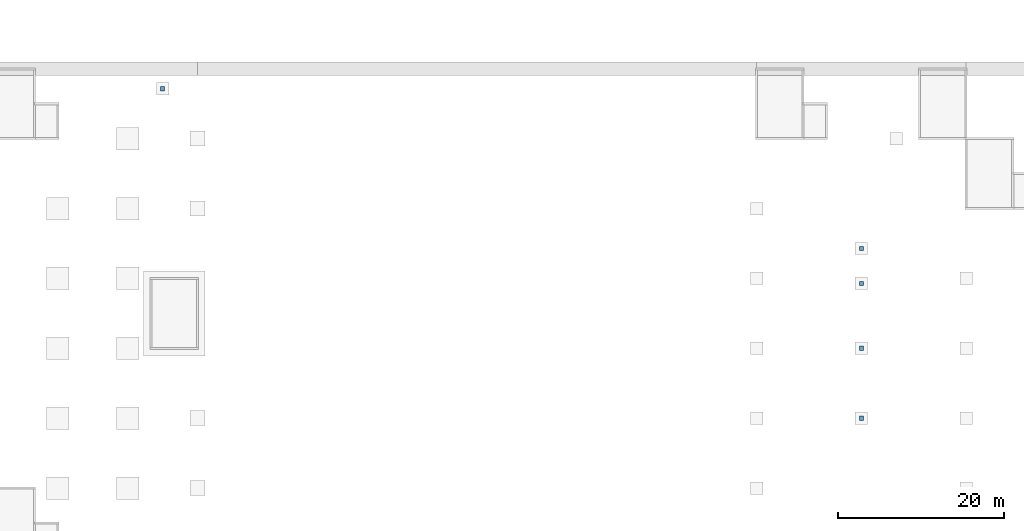
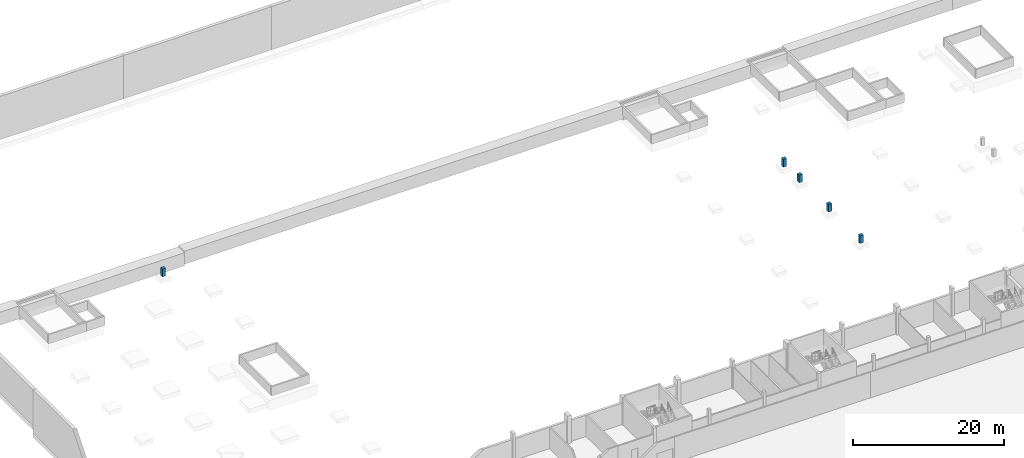
# One storey, part 5 of 36: 5 columns.
"""IFC4 building model written with IfcOpenShell, lengths in metres."""

from ifc_helpers import new_model, si_unit, direction, frame, origin, origin_2d, place, context, subcontext, project, spatial, rectangle, extrude, material, material_profile, profile_set, type_object, element, save


model = new_model("IFC4")

# Units and contexts
model_context = context("Model", 3, precision=1e-05, world=origin(), true_north=direction((0.0, 1.0)))
body_context = subcontext(model_context, "Body", "Model", "MODEL_VIEW")
ifc_project = project(units=[si_unit("LENGTHUNIT", "METRE"), si_unit("AREAUNIT", "SQUARE_METRE"), si_unit("VOLUMEUNIT", "CUBIC_METRE"), si_unit("PLANEANGLEUNIT", "RADIAN"), si_unit("MASSUNIT", "GRAM", prefix="KILO")], contexts=[model_context])

# Site, building, storey
site_placement = place(None, origin())
site = spatial("IfcSite", under=ifc_project, at=site_placement, CompositionType="ELEMENT")
building_placement = place(site_placement, origin())
building = spatial("IfcBuilding", under=site, at=building_placement, Name="Fescue Hill Polytechnic", CompositionType="ELEMENT")
storey_placement = place(building_placement, origin())
storey = spatial("IfcBuildingStorey", under=building, at=storey_placement, Name="L00", CompositionType="ELEMENT", Elevation=0.0)

# Columns
ifc_material = material(Name="Concrete 40 MPa", Category="concrete")
ifc_material_profile = material_profile(ifc_material, rectangle(XDim=0.5, YDim=0.5, at=origin_2d()), Name="RC 500x500")
ifc_profile_set = profile_set([ifc_material_profile], Name="Concrete 40 MPa")
column_type = type_object("IfcColumnType", Name="Pier RC 500x500", PredefinedType="COLUMN", material=ifc_profile_set)
for number, where, z_axis, x_axis, name in (
    (1, (21.0, 106.800048828125, 3.0), (0.0, 0.0, 1.0), (1.0, 0.0, 0.0), "COL-L00-V4-001"),
    (2, (105.0, 83.39990234375, 3.0), (0.0, 0.0, 1.0), (1.0, 0.0, 0.0), "COL-L00-V6-001"),
    (3, (105.0, 67.199951171875, 3.0), (0.0, 0.0, 1.0), (1.0, 0.0, 0.0), "COL-L00-V6-002"),
    (4, (105.0, 87.60009765625, 3.0), (0.0, 0.0, 1.0), (1.0, 0.0, 0.0), "COL-L00-V6-003"),
    (5, (105.0, 75.60009765625, 3.0), (0.0, 0.0, 1.0), (1.0, 0.0, 0.0), "COL-L00-V6-004"),
):
    element("IfcColumn", number, at=place(storey_placement, frame(where, z_axis=z_axis, x_axis=x_axis)), inside=storey, type_object=column_type, Name=name, PredefinedType="COLUMN", context=body_context, shape_type="SweptSolid", body=[
        extrude(rectangle(XDim=0.5, YDim=0.5, at=origin_2d()), origin(), (0.0, 0.0, 1.0), 1.25),
    ])

save(model, "model.ifc")
